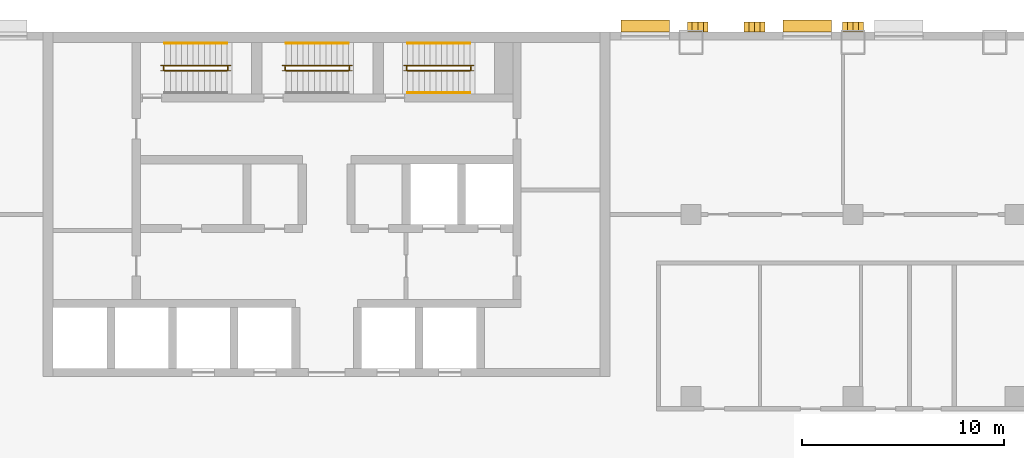
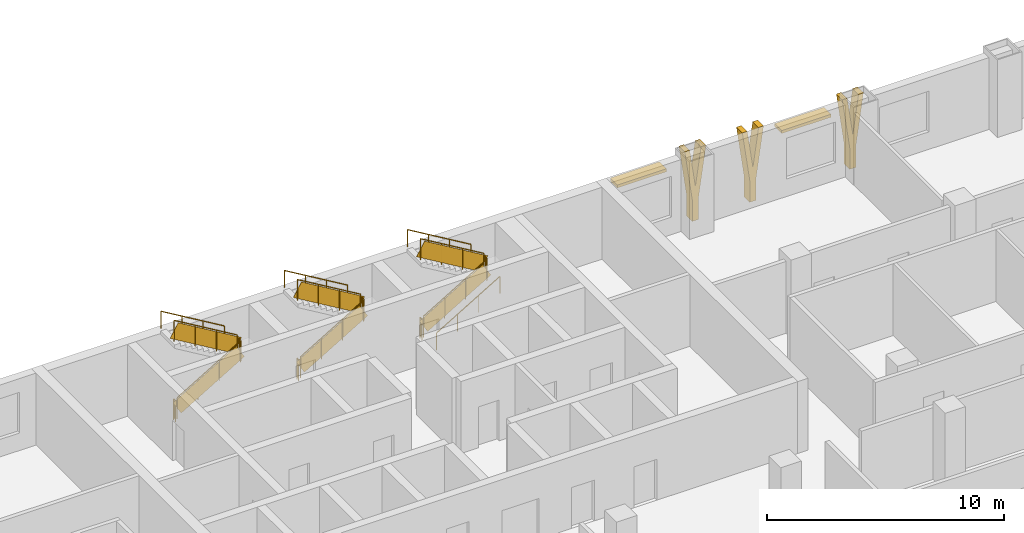
# One storey, part 25 of 26: 16 railings, 5 shading devices.
"""IFC4 building model written with IfcOpenShell, lengths in metres."""

from ifc_helpers import new_model, si_unit, direction, frame, origin, origin_2d, place, context, subcontext, project, spatial, polyline, rectangle, circle, outline, extrude, material, layer, layer_set, type_object, element, save


model = new_model("IFC4")

# Units and contexts
model_context = context("Model", 3, precision=1e-05, world=origin(), true_north=direction((0.0, 1.0)))
body_context = subcontext(model_context, "Body", "Model", "MODEL_VIEW")
ifc_project = project(units=[si_unit("LENGTHUNIT", "METRE"), si_unit("AREAUNIT", "SQUARE_METRE"), si_unit("VOLUMEUNIT", "CUBIC_METRE"), si_unit("PLANEANGLEUNIT", "RADIAN"), si_unit("MASSUNIT", "GRAM", prefix="KILO")], contexts=[model_context])

# Site, building, storey
site_placement = place(None, origin())
site = spatial("IfcSite", under=ifc_project, at=site_placement, CompositionType="ELEMENT")
building_placement = place(site_placement, origin())
building = spatial("IfcBuilding", under=site, at=building_placement, Name="Vidyagriha Tower", CompositionType="ELEMENT")
storey_placement = place(building_placement, frame((0.0, 0.0, 6.0)))
storey = spatial("IfcBuildingStorey", under=building, at=storey_placement, Name="L01", CompositionType="ELEMENT", Elevation=6.0)

# Shading devices
ifc_material_1 = material(Name="Precast concrete C40/50 with brick facing", Category="concrete")
ifc_layer_1 = layer(ifc_material_1, 0.14990234375)
ifc_layer_set_1 = layer_set([ifc_layer_1], Name="Precast concrete C40/50 with brick facing")
shading_device_type_1 = type_object("IfcShadingDeviceType", Name="Brick chhajja window hood", PredefinedType="AWNING", material=ifc_layer_set_1)
for number, where, z_axis, x_axis, name in (
    (1, (23.735107421875, 20.300048828125, 3.0), (0.0, 0.0, 1.0), (-1.0, 0.0, 0.0), "Window hood L01 R02.10"),
    (2, (15.735107421875, 20.300048828125, 3.0), (0.0, 0.0, 1.0), (-1.0, 0.0, 0.0), "Window hood L01 R02.14"),
):
    element("IfcShadingDevice", number, at=place(storey_placement, frame(where, z_axis=z_axis, x_axis=x_axis)), inside=storey, type_object=shading_device_type_1, Name=name, PredefinedType="AWNING", context=body_context, shape_type="SweptSolid", body=[
        extrude(rectangle(XDim=2.39990234375, YDim=0.60009765625, at=origin_2d()), origin(), (0.0, 0.0, 1.0), 0.14990234375),
    ])
ifc_material_2 = material(Name="Precast concrete C40/50 with buff brick facing", Category="concrete")
ifc_layer_2 = layer(ifc_material_2, 0.300048828125)
ifc_layer_set_2 = layer_set([ifc_layer_2], Name="Precast concrete C40/50 with buff brick facing")
shading_device_type_2 = type_object("IfcShadingDeviceType", Name="Brick-faced podium blade forking 8 degrees", PredefinedType="USERDEFINED", material=ifc_layer_set_2)
for number, where, z_axis, x_axis, name in (
    (3, (26.515380859375, 20.25, 0.0), (0.0, 0.0, 1.0), (-1.0, 0.0, 0.0), "Podium blade L01 R02.1360"),
    (4, (21.650390625, 20.25, 0.0), (0.0, 0.0, 1.0), (-1.0, 0.0, 0.0), "Podium blade L01 R02.1846"),
    (5, (18.850341796875, 20.25, 0.0), (0.0, 0.0, 1.0), (-1.0, 0.0, 0.0), "Podium blade L01 R02.2126"),
):
    element("IfcShadingDevice", number, at=place(storey_placement, frame(where, z_axis=z_axis, x_axis=x_axis)), inside=storey, type_object=shading_device_type_2, Name=name, ObjectType="BLADE FIN", PredefinedType="USERDEFINED", context=body_context, shape_type="SweptSolid", body=[
        extrude(outline(polyline([(0.665283203125, 0.0), (0.665283203125, 1.10009765625), (1.03076171875, 3.699951171875), (0.790771484375, 3.699951171875), (0.515380859375, 1.740478515625), (0.239990234375, 3.699951171875), (0.0, 3.699951171875), (0.365478515625, 1.10009765625), (0.365478515625, 0.0), (0.665283203125, 0.0)])), frame((0.0, 0.25, 0.0), z_axis=(0.0, -1.0, 0.0), x_axis=(1.0, 0.0, 0.0)), (0.0, 0.0, 1.0), 0.5),
    ])

# Railings
ifc_material_3 = material(Name="Steel ASTM A500 Grade C", Category="steel")
railing_type_1 = type_object("IfcRailingType", Name="Stair guard 1100 mm, steel balustrade", PredefinedType="GUARDRAIL", material=ifc_material_3)
railing_1_placement = place(storey_placement, frame((-8.0, 18.10009765625, 0.166748046875)))
element("IfcRailing", 6, at=railing_1_placement, inside=storey, type_object=railing_type_1, Name="L01 ST1 stair guard 1", PredefinedType="GUARDRAIL", context=body_context, shape_type="SweptSolid", body=[
    extrude(circle(Radius=0.02392578125, at=origin_2d()), frame((0.0, 0.0, 1.076171875), z_axis=(0.859308565015, 0.0, 0.511457515432), x_axis=(0.0, 1.0, 0.0)), (0.0, 0.0, 1.0), 3.58447265625),
    extrude(circle(Radius=0.02099609375, at=origin_2d()), origin(), (0.0, 0.0, 1.0), 1.052001953125),
    extrude(circle(Radius=0.02099609375, at=origin_2d()), frame((1.026611328125, 0.0, 0.611083984375)), (0.0, 0.0, 1.0), 1.052001953125),
    extrude(circle(Radius=0.02099609375, at=origin_2d()), frame((2.053466796875, 0.0, 1.22216796875)), (0.0, 0.0, 1.0), 1.052001953125),
    extrude(circle(Radius=0.02099609375, at=origin_2d()), frame((3.080078125, 0.0, 1.833251953125)), (0.0, 0.0, 1.0), 1.052001953125),
    extrude(rectangle(XDim=0.010009765625, YDim=0.775146484375, at=origin_2d()), frame((0.0, 0.0, 0.551025390625), z_axis=(0.859308565015, 0.0, 0.511457515432), x_axis=(0.0, 1.0, 0.0)), (0.0, 0.0, 1.0), 3.58447265625),
])
railing_2_placement = place(storey_placement, frame((-4.8701171875, 18.14990234375, 2.0)))
element("IfcRailing", 7, at=railing_2_placement, inside=storey, type_object=railing_type_1, Name="L01 ST1 stair guard 2", PredefinedType="GUARDRAIL", context=body_context, shape_type="SweptSolid", body=[
    extrude(circle(Radius=0.02392578125, at=origin_2d()), frame((0.0, 0.0, 1.076171875), z_axis=(0.0, 1.0, 0.0), x_axis=(-1.0, 0.0, 0.0)), (0.0, 0.0, 1.0), 0.150146484375),
    extrude(circle(Radius=0.02099609375, at=origin_2d()), origin(), (0.0, 0.0, 1.0), 1.052001953125),
    extrude(circle(Radius=0.02099609375, at=origin_2d()), frame((0.0, 0.150146484375, 0.0)), (0.0, 0.0, 1.0), 1.052001953125),
    extrude(rectangle(XDim=0.010009765625, YDim=0.902099609375, at=origin_2d()), frame((0.0, 0.0, 0.551025390625), z_axis=(0.0, 1.0, 0.0), x_axis=(-1.0, 0.0, 0.0)), (0.0, 0.0, 1.0), 0.150146484375),
])
railing_3_placement = place(storey_placement, frame((-4.919921875, 18.35009765625, 2.166748046875)))
element("IfcRailing", 8, at=railing_3_placement, inside=storey, type_object=railing_type_1, Name="L01 ST1 stair guard 3", PredefinedType="GUARDRAIL", context=body_context, shape_type="SweptSolid", body=[
    extrude(circle(Radius=0.02392578125, at=origin_2d()), frame((0.0, 0.0, 1.076171875), z_axis=(-0.859308565015, 0.0, 0.511457515432), x_axis=(0.0, -1.0, 0.0)), (0.0, 0.0, 1.0), 3.58447265625),
    extrude(circle(Radius=0.02099609375, at=origin_2d()), origin(), (0.0, 0.0, 1.0), 1.052001953125),
    extrude(circle(Radius=0.02099609375, at=origin_2d()), frame((-1.026611328125, 0.0, 0.611083984375)), (0.0, 0.0, 1.0), 1.052001953125),
    extrude(circle(Radius=0.02099609375, at=origin_2d()), frame((-2.053466796875, 0.0, 1.22216796875)), (0.0, 0.0, 1.0), 1.052001953125),
    extrude(circle(Radius=0.02099609375, at=origin_2d()), frame((-3.080078125, 0.0, 1.833251953125)), (0.0, 0.0, 1.0), 1.052001953125),
    extrude(rectangle(XDim=0.010009765625, YDim=0.775146484375, at=origin_2d()), frame((0.0, 0.0, 0.551025390625), z_axis=(-0.859308565015, 0.0, 0.511457515432), x_axis=(0.0, -1.0, 0.0)), (0.0, 0.0, 1.0), 3.58447265625),
])
railing_4_placement = place(storey_placement, frame((-8.050048828125, 18.14990234375, 0.0)))
element("IfcRailing", 9, at=railing_4_placement, inside=storey, type_object=railing_type_1, Name="L01 ST1 stair guard 4", PredefinedType="GUARDRAIL", context=body_context, shape_type="SweptSolid", body=[
    extrude(circle(Radius=0.02392578125, at=origin_2d()), frame((0.0, 0.0, 1.076171875), z_axis=(0.0, 1.0, 0.0), x_axis=(-1.0, 0.0, 0.0)), (0.0, 0.0, 1.0), 0.150146484375),
    extrude(circle(Radius=0.02099609375, at=origin_2d()), origin(), (0.0, 0.0, 1.0), 1.052001953125),
    extrude(circle(Radius=0.02099609375, at=origin_2d()), frame((0.0, 0.150146484375, 0.0)), (0.0, 0.0, 1.0), 1.052001953125),
    extrude(rectangle(XDim=0.010009765625, YDim=0.902099609375, at=origin_2d()), frame((0.0, 0.0, 0.551025390625), z_axis=(0.0, 1.0, 0.0), x_axis=(-1.0, 0.0, 0.0)), (0.0, 0.0, 1.0), 0.150146484375),
])
railing_5_placement = place(storey_placement, frame((-2.0, 18.10009765625, 0.166748046875)))
element("IfcRailing", 10, at=railing_5_placement, inside=storey, type_object=railing_type_1, Name="L01 ST2 stair guard 1", PredefinedType="GUARDRAIL", context=body_context, shape_type="SweptSolid", body=[
    extrude(circle(Radius=0.02392578125, at=origin_2d()), frame((0.0, 0.0, 1.076171875), z_axis=(0.859308565015, 0.0, 0.511457515432), x_axis=(0.0, 1.0, 0.0)), (0.0, 0.0, 1.0), 3.58447265625),
    extrude(circle(Radius=0.02099609375, at=origin_2d()), origin(), (0.0, 0.0, 1.0), 1.052001953125),
    extrude(circle(Radius=0.02099609375, at=origin_2d()), frame((1.026611328125, 0.0, 0.611083984375)), (0.0, 0.0, 1.0), 1.052001953125),
    extrude(circle(Radius=0.02099609375, at=origin_2d()), frame((2.053466796875, 0.0, 1.22216796875)), (0.0, 0.0, 1.0), 1.052001953125),
    extrude(circle(Radius=0.02099609375, at=origin_2d()), frame((3.080078125, 0.0, 1.833251953125)), (0.0, 0.0, 1.0), 1.052001953125),
    extrude(rectangle(XDim=0.010009765625, YDim=0.775146484375, at=origin_2d()), frame((0.0, 0.0, 0.551025390625), z_axis=(0.859308565015, 0.0, 0.511457515432), x_axis=(0.0, 1.0, 0.0)), (0.0, 0.0, 1.0), 3.58447265625),
])
railing_6_placement = place(storey_placement, frame((1.1298828125, 18.14990234375, 2.0)))
element("IfcRailing", 11, at=railing_6_placement, inside=storey, type_object=railing_type_1, Name="L01 ST2 stair guard 2", PredefinedType="GUARDRAIL", context=body_context, shape_type="SweptSolid", body=[
    extrude(circle(Radius=0.02392578125, at=origin_2d()), frame((0.0, 0.0, 1.076171875), z_axis=(0.0, 1.0, 0.0), x_axis=(-1.0, 0.0, 0.0)), (0.0, 0.0, 1.0), 0.150146484375),
    extrude(circle(Radius=0.02099609375, at=origin_2d()), origin(), (0.0, 0.0, 1.0), 1.052001953125),
    extrude(circle(Radius=0.02099609375, at=origin_2d()), frame((0.0, 0.150146484375, 0.0)), (0.0, 0.0, 1.0), 1.052001953125),
    extrude(rectangle(XDim=0.010009765625, YDim=0.902099609375, at=origin_2d()), frame((0.0, 0.0, 0.551025390625), z_axis=(0.0, 1.0, 0.0), x_axis=(-1.0, 0.0, 0.0)), (0.0, 0.0, 1.0), 0.150146484375),
])
railing_7_placement = place(storey_placement, frame((1.080078125, 18.35009765625, 2.166748046875)))
element("IfcRailing", 12, at=railing_7_placement, inside=storey, type_object=railing_type_1, Name="L01 ST2 stair guard 3", PredefinedType="GUARDRAIL", context=body_context, shape_type="SweptSolid", body=[
    extrude(circle(Radius=0.02392578125, at=origin_2d()), frame((0.0, 0.0, 1.076171875), z_axis=(-0.859308565015, 0.0, 0.511457515432), x_axis=(0.0, -1.0, 0.0)), (0.0, 0.0, 1.0), 3.58447265625),
    extrude(circle(Radius=0.02099609375, at=origin_2d()), origin(), (0.0, 0.0, 1.0), 1.052001953125),
    extrude(circle(Radius=0.02099609375, at=origin_2d()), frame((-1.026611328125, 0.0, 0.611083984375)), (0.0, 0.0, 1.0), 1.052001953125),
    extrude(circle(Radius=0.02099609375, at=origin_2d()), frame((-2.053466796875, 0.0, 1.22216796875)), (0.0, 0.0, 1.0), 1.052001953125),
    extrude(circle(Radius=0.02099609375, at=origin_2d()), frame((-3.080078125, 0.0, 1.833251953125)), (0.0, 0.0, 1.0), 1.052001953125),
    extrude(rectangle(XDim=0.010009765625, YDim=0.775146484375, at=origin_2d()), frame((0.0, 0.0, 0.551025390625), z_axis=(-0.859308565015, 0.0, 0.511457515432), x_axis=(0.0, -1.0, 0.0)), (0.0, 0.0, 1.0), 3.58447265625),
])
railing_8_placement = place(storey_placement, frame((-2.050048828125, 18.14990234375, 0.0)))
element("IfcRailing", 13, at=railing_8_placement, inside=storey, type_object=railing_type_1, Name="L01 ST2 stair guard 4", PredefinedType="GUARDRAIL", context=body_context, shape_type="SweptSolid", body=[
    extrude(circle(Radius=0.02392578125, at=origin_2d()), frame((0.0, 0.0, 1.076171875), z_axis=(0.0, 1.0, 0.0), x_axis=(-1.0, 0.0, 0.0)), (0.0, 0.0, 1.0), 0.150146484375),
    extrude(circle(Radius=0.02099609375, at=origin_2d()), origin(), (0.0, 0.0, 1.0), 1.052001953125),
    extrude(circle(Radius=0.02099609375, at=origin_2d()), frame((0.0, 0.150146484375, 0.0)), (0.0, 0.0, 1.0), 1.052001953125),
    extrude(rectangle(XDim=0.010009765625, YDim=0.902099609375, at=origin_2d()), frame((0.0, 0.0, 0.551025390625), z_axis=(0.0, 1.0, 0.0), x_axis=(-1.0, 0.0, 0.0)), (0.0, 0.0, 1.0), 0.150146484375),
])
railing_9_placement = place(storey_placement, frame((4.0, 18.10009765625, 0.166748046875)))
element("IfcRailing", 14, at=railing_9_placement, inside=storey, type_object=railing_type_1, Name="L01 ST3 stair guard 1", PredefinedType="GUARDRAIL", context=body_context, shape_type="SweptSolid", body=[
    extrude(circle(Radius=0.02392578125, at=origin_2d()), frame((0.0, 0.0, 1.076171875), z_axis=(0.859308565015, 0.0, 0.511457515432), x_axis=(0.0, 1.0, 0.0)), (0.0, 0.0, 1.0), 3.58447265625),
    extrude(circle(Radius=0.02099609375, at=origin_2d()), origin(), (0.0, 0.0, 1.0), 1.052001953125),
    extrude(circle(Radius=0.02099609375, at=origin_2d()), frame((1.026611328125, 0.0, 0.611083984375)), (0.0, 0.0, 1.0), 1.052001953125),
    extrude(circle(Radius=0.02099609375, at=origin_2d()), frame((2.053466796875, 0.0, 1.22216796875)), (0.0, 0.0, 1.0), 1.052001953125),
    extrude(circle(Radius=0.02099609375, at=origin_2d()), frame((3.080078125, 0.0, 1.833251953125)), (0.0, 0.0, 1.0), 1.052001953125),
    extrude(rectangle(XDim=0.010009765625, YDim=0.775146484375, at=origin_2d()), frame((0.0, 0.0, 0.551025390625), z_axis=(0.859308565015, 0.0, 0.511457515432), x_axis=(0.0, 1.0, 0.0)), (0.0, 0.0, 1.0), 3.58447265625),
])
railing_10_placement = place(storey_placement, frame((7.1298828125, 18.14990234375, 2.0)))
element("IfcRailing", 15, at=railing_10_placement, inside=storey, type_object=railing_type_1, Name="L01 ST3 stair guard 2", PredefinedType="GUARDRAIL", context=body_context, shape_type="SweptSolid", body=[
    extrude(circle(Radius=0.02392578125, at=origin_2d()), frame((0.0, 0.0, 1.076171875), z_axis=(0.0, 1.0, 0.0), x_axis=(-1.0, 0.0, 0.0)), (0.0, 0.0, 1.0), 0.150146484375),
    extrude(circle(Radius=0.02099609375, at=origin_2d()), origin(), (0.0, 0.0, 1.0), 1.052001953125),
    extrude(circle(Radius=0.02099609375, at=origin_2d()), frame((0.0, 0.150146484375, 0.0)), (0.0, 0.0, 1.0), 1.052001953125),
    extrude(rectangle(XDim=0.010009765625, YDim=0.902099609375, at=origin_2d()), frame((0.0, 0.0, 0.551025390625), z_axis=(0.0, 1.0, 0.0), x_axis=(-1.0, 0.0, 0.0)), (0.0, 0.0, 1.0), 0.150146484375),
])
railing_11_placement = place(storey_placement, frame((7.080078125, 18.35009765625, 2.166748046875)))
element("IfcRailing", 16, at=railing_11_placement, inside=storey, type_object=railing_type_1, Name="L01 ST3 stair guard 3", PredefinedType="GUARDRAIL", context=body_context, shape_type="SweptSolid", body=[
    extrude(circle(Radius=0.02392578125, at=origin_2d()), frame((0.0, 0.0, 1.076171875), z_axis=(-0.859308565015, 0.0, 0.511457515432), x_axis=(0.0, -1.0, 0.0)), (0.0, 0.0, 1.0), 3.58447265625),
    extrude(circle(Radius=0.02099609375, at=origin_2d()), origin(), (0.0, 0.0, 1.0), 1.052001953125),
    extrude(circle(Radius=0.02099609375, at=origin_2d()), frame((-1.026611328125, 0.0, 0.611083984375)), (0.0, 0.0, 1.0), 1.052001953125),
    extrude(circle(Radius=0.02099609375, at=origin_2d()), frame((-2.053466796875, 0.0, 1.22216796875)), (0.0, 0.0, 1.0), 1.052001953125),
    extrude(circle(Radius=0.02099609375, at=origin_2d()), frame((-3.080078125, 0.0, 1.833251953125)), (0.0, 0.0, 1.0), 1.052001953125),
    extrude(rectangle(XDim=0.010009765625, YDim=0.775146484375, at=origin_2d()), frame((0.0, 0.0, 0.551025390625), z_axis=(-0.859308565015, 0.0, 0.511457515432), x_axis=(0.0, -1.0, 0.0)), (0.0, 0.0, 1.0), 3.58447265625),
])
railing_12_placement = place(storey_placement, frame((3.949951171875, 18.14990234375, 0.0)))
element("IfcRailing", 17, at=railing_12_placement, inside=storey, type_object=railing_type_1, Name="L01 ST3 stair guard 4", PredefinedType="GUARDRAIL", context=body_context, shape_type="SweptSolid", body=[
    extrude(circle(Radius=0.02392578125, at=origin_2d()), frame((0.0, 0.0, 1.076171875), z_axis=(0.0, 1.0, 0.0), x_axis=(-1.0, 0.0, 0.0)), (0.0, 0.0, 1.0), 0.150146484375),
    extrude(circle(Radius=0.02099609375, at=origin_2d()), origin(), (0.0, 0.0, 1.0), 1.052001953125),
    extrude(circle(Radius=0.02099609375, at=origin_2d()), frame((0.0, 0.150146484375, 0.0)), (0.0, 0.0, 1.0), 1.052001953125),
    extrude(rectangle(XDim=0.010009765625, YDim=0.902099609375, at=origin_2d()), frame((0.0, 0.0, 0.551025390625), z_axis=(0.0, 1.0, 0.0), x_axis=(-1.0, 0.0, 0.0)), (0.0, 0.0, 1.0), 0.150146484375),
])
ifc_material_4 = material(Name="Steel ASTM A500 Grade C", Category="steel")
railing_type_2 = type_object("IfcRailingType", Name="Stair handrail 900 mm, steel", PredefinedType="HANDRAIL", material=ifc_material_4)
for number, where, name in (
    (18, (-4.919921875, 19.449951171875, 2.166748046875), "L01 ST1 stair handrail 2"),
    (19, (1.080078125, 19.449951171875, 2.166748046875), "L01 ST2 stair handrail 2"),
):
    element("IfcRailing", number, at=place(storey_placement, frame(where)), inside=storey, type_object=railing_type_2, Name=name, PredefinedType="HANDRAIL", context=body_context, shape_type="SweptSolid", body=[
        extrude(circle(Radius=0.02392578125, at=origin_2d()), frame((0.0, 0.0, 0.8759765625), z_axis=(-0.859308565015, 0.0, 0.511457515432), x_axis=(0.0, -1.0, 0.0)), (0.0, 0.0, 1.0), 3.58447265625),
        extrude(circle(Radius=0.02099609375, at=origin_2d()), origin(), (0.0, 0.0, 1.0), 0.851806640625),
        extrude(circle(Radius=0.02099609375, at=origin_2d()), frame((-1.026611328125, 0.0, 0.611083984375)), (0.0, 0.0, 1.0), 0.851806640625),
        extrude(circle(Radius=0.02099609375, at=origin_2d()), frame((-2.053466796875, 0.0, 1.22216796875)), (0.0, 0.0, 1.0), 0.851806640625),
        extrude(circle(Radius=0.02099609375, at=origin_2d()), frame((-3.080078125, 0.0, 1.833251953125)), (0.0, 0.0, 1.0), 0.851806640625),
    ])
railing_13_placement = place(storey_placement, frame((4.0, 17.0, 0.166748046875)))
element("IfcRailing", 20, at=railing_13_placement, inside=storey, type_object=railing_type_2, Name="L01 ST3 stair handrail 1", PredefinedType="HANDRAIL", context=body_context, shape_type="SweptSolid", body=[
    extrude(circle(Radius=0.02392578125, at=origin_2d()), frame((0.0, 0.0, 0.8759765625), z_axis=(0.859308565015, 0.0, 0.511457515432), x_axis=(0.0, 1.0, 0.0)), (0.0, 0.0, 1.0), 3.58447265625),
    extrude(circle(Radius=0.02099609375, at=origin_2d()), origin(), (0.0, 0.0, 1.0), 0.851806640625),
    extrude(circle(Radius=0.02099609375, at=origin_2d()), frame((1.026611328125, 0.0, 0.611083984375)), (0.0, 0.0, 1.0), 0.851806640625),
    extrude(circle(Radius=0.02099609375, at=origin_2d()), frame((2.053466796875, 0.0, 1.22216796875)), (0.0, 0.0, 1.0), 0.851806640625),
    extrude(circle(Radius=0.02099609375, at=origin_2d()), frame((3.080078125, 0.0, 1.833251953125)), (0.0, 0.0, 1.0), 0.851806640625),
])
railing_14_placement = place(storey_placement, frame((7.080078125, 19.449951171875, 2.166748046875)))
element("IfcRailing", 21, at=railing_14_placement, inside=storey, type_object=railing_type_2, Name="L01 ST3 stair handrail 2", PredefinedType="HANDRAIL", context=body_context, shape_type="SweptSolid", body=[
    extrude(circle(Radius=0.02392578125, at=origin_2d()), frame((0.0, 0.0, 0.8759765625), z_axis=(-0.859308565015, 0.0, 0.511457515432), x_axis=(0.0, -1.0, 0.0)), (0.0, 0.0, 1.0), 3.58447265625),
    extrude(circle(Radius=0.02099609375, at=origin_2d()), origin(), (0.0, 0.0, 1.0), 0.851806640625),
    extrude(circle(Radius=0.02099609375, at=origin_2d()), frame((-1.026611328125, 0.0, 0.611083984375)), (0.0, 0.0, 1.0), 0.851806640625),
    extrude(circle(Radius=0.02099609375, at=origin_2d()), frame((-2.053466796875, 0.0, 1.22216796875)), (0.0, 0.0, 1.0), 0.851806640625),
    extrude(circle(Radius=0.02099609375, at=origin_2d()), frame((-3.080078125, 0.0, 1.833251953125)), (0.0, 0.0, 1.0), 0.851806640625),
])

save(model, "model.ifc")
